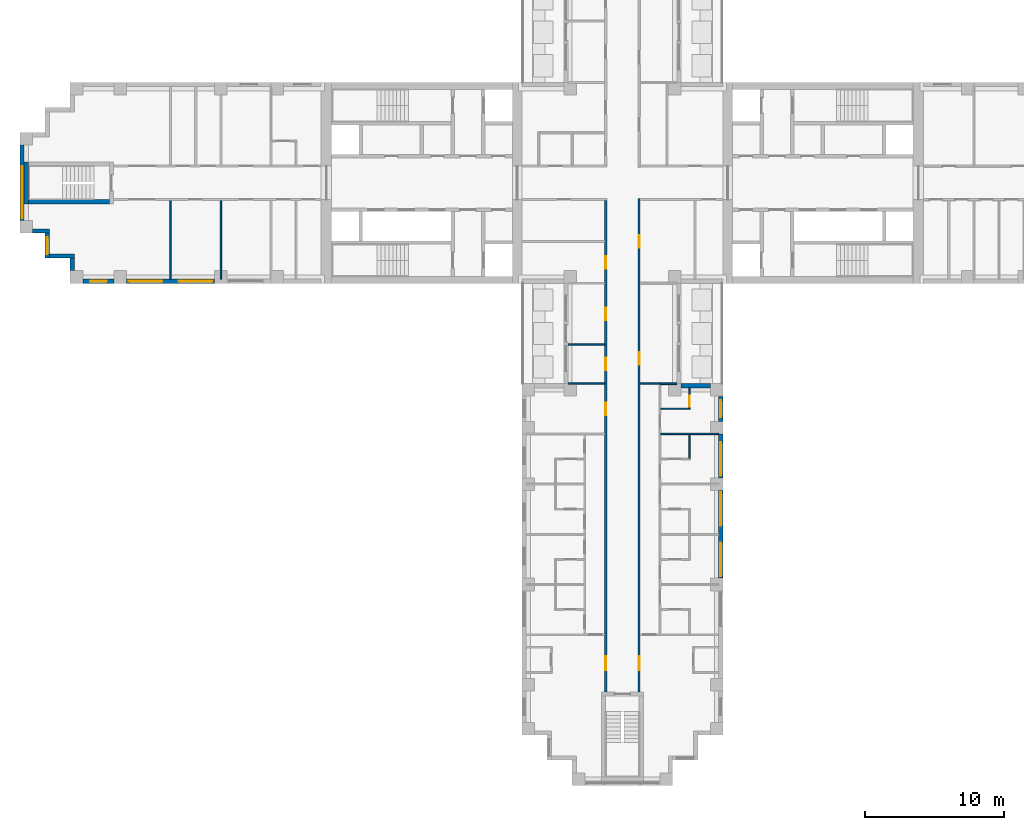
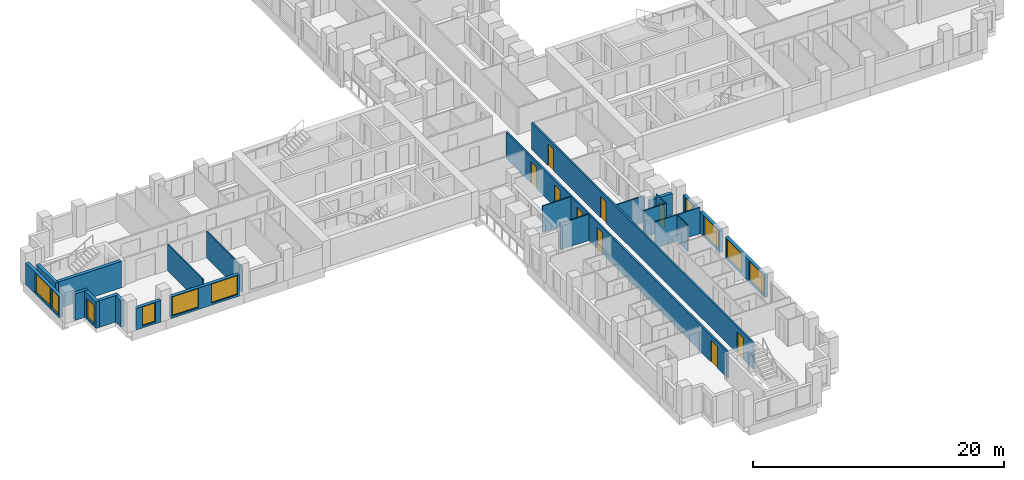
# One storey, part 5 of 16: 25 walls, 10 windows, 9 doors, 19 openings.
"""IFC4 building model written with IfcOpenShell, lengths in metres."""

import ifcopenshell
import ifcopenshell.guid

model = None  # the IFC model being written
_history = None  # IfcOwnerHistory: only IFC2X3 demands one
_inside = {}  # id of a spatial element -> (the spatial element, [elements in it])
_under = {}  # id of a project, library or spatial element -> (it, [spatial elements below it])
_declared = {}  # id of a project -> (the project, [libraries it declares])
_typed = {}  # id of a type object -> (the type object, [elements of that type])
_made_of = {}  # id of a material, layer set ... -> (it, [elements and type objects made of it])


def new_model(schema):
    """Start an empty IFC model of exactly this schema.

    Asked for "IFC4X3", IfcOpenShell would pick the latest addendum, in which some entities
    have other attributes; the version numbers below select the first issue.
    IFC2X3 requires an IfcOwnerHistory on every rooted entity: one is made here for all.
    """
    global model, _history
    if schema == "IFC4X3":
        model = ifcopenshell.file(schema_version=(4, 3, 0, 0))
    else:
        model = ifcopenshell.file(schema=schema)
    _inside.clear()
    _under.clear()
    _declared.clear()
    _typed.clear()
    _made_of.clear()
    _history = None
    if model.schema == "IFC2X3":
        org = make("IfcOrganization", Name="unknown")
        user = make(
            "IfcPersonAndOrganization",
            ThePerson=make("IfcPerson", FamilyName="unknown"),
            TheOrganization=org,
        )
        app = make(
            "IfcApplication",
            ApplicationDeveloper=org,
            Version="unknown",
            ApplicationFullName="unknown",
            ApplicationIdentifier="unknown",
        )
        _history = make(
            "IfcOwnerHistory",
            OwningUser=user,
            OwningApplication=app,
            ChangeAction="ADDED",
            CreationDate=0,
        )
    return model


def make(cls, **values):
    """One entity of the class cls with the attributes given. An attribute that is None is left unset."""
    return model.create_entity(
        cls, **{name: value for name, value in values.items() if value is not None}
    )


def rooted(cls, **values):
    """An entity with a GlobalId (a new one), such as an element, a storey or a relation."""
    return make(cls, GlobalId=ifcopenshell.guid.new(), OwnerHistory=_history, **values)


def si_unit(unit_type, name, prefix=None):
    """IfcSIUnit, for example si_unit("LENGTHUNIT", "METRE", prefix="MILLI")."""
    return make("IfcSIUnit", UnitType=unit_type, Prefix=prefix, Name=name)


def assignment(units):
    """IfcUnitAssignment: the units of a project."""
    return None if units is None else make("IfcUnitAssignment", Units=units)


def point(xyz):
    """IfcCartesianPoint."""
    return None if xyz is None else make("IfcCartesianPoint", Coordinates=xyz)


def direction(xyz):
    """IfcDirection."""
    return None if xyz is None else make("IfcDirection", DirectionRatios=xyz)


def frame(location, z_axis=None, x_axis=None):
    """IfcAxis2Placement3D, a coordinate frame: its origin and axes. An axis left out is left unset."""
    return make(
        "IfcAxis2Placement3D",
        Location=point(location),
        Axis=direction(z_axis),
        RefDirection=direction(x_axis),
    )


def frame_2d(location, x_axis=None):
    """IfcAxis2Placement2D, a coordinate frame in the plane: its origin and x axis."""
    return make(
        "IfcAxis2Placement2D", Location=point(location), RefDirection=direction(x_axis)
    )


def origin():
    """The frame at (0, 0, 0) with its axes left unset."""
    return frame((0.0, 0.0, 0.0))


def place(relative_to, where):
    """IfcLocalPlacement: puts the frame where relative to a parent placement (None: the world)."""
    return make(
        "IfcLocalPlacement", PlacementRelTo=relative_to, RelativePlacement=where
    )


def context(
    kind, dimensions, precision=None, world=None, true_north=None, identifier=None
):
    """IfcGeometricRepresentationContext, for example the 3D "Model" context."""
    return make(
        "IfcGeometricRepresentationContext",
        ContextIdentifier=identifier,
        ContextType=kind,
        CoordinateSpaceDimension=dimensions,
        Precision=precision,
        WorldCoordinateSystem=world,
        TrueNorth=true_north,
    )


def subcontext(parent, identifier, kind, view, scale=None):
    """IfcGeometricRepresentationSubContext, for example "Body" below "Model"."""
    return make(
        "IfcGeometricRepresentationSubContext",
        ContextIdentifier=identifier,
        ContextType=kind,
        ParentContext=parent,
        TargetScale=scale,
        TargetView=view,
    )


def project(units=None, contexts=None):
    """IfcProject with its units and contexts."""
    return rooted(
        "IfcProject",
        Name="project",
        RepresentationContexts=contexts,
        UnitsInContext=assignment(units),
    )


def spatial(cls, under=None, at=None, **own):
    """A site, building, storey or space (cls), placed at a placement, below another one or the project."""
    s = rooted(cls, ObjectPlacement=at, **own)
    if under is not None:
        _under.setdefault(under.id(), (under, []))[1].append(s)
    return s


def profile(cls, at=None, kind="AREA", **sizes):
    """A parametric profile (cls). Its sizes go by their IFC names, for example OverallWidth=200.0."""
    return make(cls, ProfileType=kind, Position=at, **sizes)


def rectangle(**sizes):
    """IfcRectangleProfileDef."""
    return profile("IfcRectangleProfileDef", **sizes)


def extrude(swept, where, along, depth):
    """IfcExtrudedAreaSolid: the profile swept, set in the frame where, extruded along a direction by depth."""
    return make(
        "IfcExtrudedAreaSolid",
        SweptArea=swept,
        Position=where,
        ExtrudedDirection=direction(along),
        Depth=depth,
    )


def shape(context_of_items, identifier, shape_type, items):
    """IfcShapeRepresentation: the items that make up one representation, for example the "Body"."""
    return make(
        "IfcShapeRepresentation",
        ContextOfItems=context_of_items,
        RepresentationIdentifier=identifier,
        RepresentationType=shape_type,
        Items=items,
    )


def material(Name=None, Category=None):
    """IfcMaterial."""
    return make("IfcMaterial", Name=Name, Category=Category)


def layer(
    of_material, thickness, ventilated=None, Name=None, Category=None, Priority=None
):
    """IfcMaterialLayer: one layer of a wall or slab, of a material (None: an air gap)."""
    return make(
        "IfcMaterialLayer",
        Material=of_material,
        LayerThickness=thickness,
        IsVentilated=ventilated,
        Name=Name,
        Category=Category,
        Priority=Priority,
    )


def layer_set(layers, Name=None):
    """IfcMaterialLayerSet."""
    return make("IfcMaterialLayerSet", MaterialLayers=layers, LayerSetName=Name)


def made_of(thing, what):
    """Note that an element or type object is made of a material, layer set ...; save() writes the relation."""
    if what is not None:
        _made_of.setdefault(what.id(), (what, []))[1].append(thing)
    return thing


def type_object(cls, material=None, **own):
    """A type object (cls), such as IfcWallType, which elements share."""
    return made_of(rooted(cls, **own), material)


def element(
    cls,
    number,
    at=None,
    inside=None,
    cuts=None,
    type_object=None,
    material=None,
    context=None,
    identifier="Body",
    shape_type=None,
    held_by="IfcProductDefinitionShape",
    body=None,
    shapes=None,
    **own,
):
    """One element of the class cls, such as IfcWall. Its Tag is "e" and its number.

    at: its placement. inside: the storey or other place that contains it. cuts: it is an
    opening in that element (IfcRelVoidsElement). A single representation is given by context,
    identifier, shape_type and body (its items); several are given by shapes. held_by: the class
    of the entity that holds the representations. save() writes the other relations.
    """
    e = rooted(cls, Tag="e%d" % number, ObjectPlacement=at, **own)
    if body is not None:
        shapes = [shape(context, identifier, shape_type, body)]
    if shapes is not None:
        e.Representation = make(held_by, Representations=shapes)
    if inside is not None:
        _inside.setdefault(inside.id(), (inside, []))[1].append(e)
    if cuts is not None:
        rooted(
            "IfcRelVoidsElement", RelatingBuildingElement=cuts, RelatedOpeningElement=e
        )
    if type_object is not None:
        _typed.setdefault(type_object.id(), (type_object, []))[1].append(e)
    return made_of(e, material)


def fill(opening, filler):
    """IfcRelFillsElement: the door or window that sits in an opening."""
    return rooted(
        "IfcRelFillsElement",
        RelatingOpeningElement=opening,
        RelatedBuildingElement=filler,
    )


def aggregate(whole, parts):
    """IfcRelAggregates: a whole, such as a stair, and the parts it consists of."""
    return rooted("IfcRelAggregates", RelatingObject=whole, RelatedObjects=parts)


def save(model, path):
    """Write the relations noted so far, then the file.

    IfcRelAggregates (storeys below a building ...), IfcRelContainedInSpatialStructure (elements
    in a storey), IfcRelDefinesByType, IfcRelAssociatesMaterial and IfcRelDeclares: one each for
    every whole, place, type object, material and project.
    """
    for whole, parts in _under.values():
        aggregate(whole, parts)
    for where, things in _inside.values():
        rooted(
            "IfcRelContainedInSpatialStructure",
            RelatedElements=things,
            RelatingStructure=where,
        )
    for kind, things in _typed.values():
        rooted("IfcRelDefinesByType", RelatedObjects=things, RelatingType=kind)
    for what, things in _made_of.values():
        rooted("IfcRelAssociatesMaterial", RelatedObjects=things, RelatingMaterial=what)
    for by, libraries in _declared.values():
        rooted("IfcRelDeclares", RelatingContext=by, RelatedDefinitions=libraries)
    model.write(path)


model = new_model("IFC4")

# Units and contexts
model_context = context("Model", 3, precision=1e-05, world=origin(), true_north=direction((0.0, 1.0)))
body_context = subcontext(model_context, "Body", "Model", "MODEL_VIEW")
ifc_project = project(units=[si_unit("LENGTHUNIT", "METRE"), si_unit("AREAUNIT", "SQUARE_METRE"), si_unit("VOLUMEUNIT", "CUBIC_METRE"), si_unit("PLANEANGLEUNIT", "RADIAN"), si_unit("MASSUNIT", "GRAM", prefix="KILO")], contexts=[model_context])

# Site, building, storey
site_placement = place(None, origin())
site = spatial("IfcSite", under=ifc_project, at=site_placement, CompositionType="ELEMENT")
building_placement = place(site_placement, origin())
building = spatial("IfcBuilding", under=site, at=building_placement, Name="Fustian Cross Tower", CompositionType="ELEMENT")
storey_placement = place(building_placement, frame((0.0, 0.0, 26.699951171875)))
storey = spatial("IfcBuildingStorey", under=building, at=storey_placement, Name="L07", CompositionType="ELEMENT", Elevation=26.699951171875)

# Wall, openings, doors
ifc_material_1 = material(Name="Plasterboard on steel stud", Category="steel")
ifc_layer_1 = layer(ifc_material_1, 0.14990234375)
ifc_layer_set_1 = layer_set([ifc_layer_1], Name="Plasterboard on steel stud")
wall_type_1 = type_object("IfcWallType", Name="COMPARTMENT WALL 150 EI 60", PredefinedType="PARTITIONING", material=ifc_layer_set_1)
wall_1_placement = place(storey_placement, frame((-1.199951171875, -36.5, 0.0), z_axis=(0.0, 0.0, 1.0), x_axis=(0.0, 1.0, 0.0)))
wall_1 = element("IfcWall", 1, at=wall_1_placement, inside=storey, type_object=wall_type_1, Name="Partition 51", PredefinedType="PARTITIONING", context=body_context, shape_type="SweptSolid", body=[
    extrude(rectangle(XDim=35.22509765625, YDim=0.14990234375, at=frame_2d((17.612548828125, 0.0))), origin(), (0.0, 0.0, 1.0), 2.574951171875),
])
opening_1_placement = place(wall_1_placement, frame((30.35009765625, 0.0, 0.0)))
opening_1 = element("IfcOpeningElement", 2, at=opening_1_placement, cuts=wall_1, Name="Opening D05009", PredefinedType="OPENING", context=body_context, shape_type="SweptSolid", body=[
    extrude(rectangle(XDim=0.89990234375, YDim=2.10009765625, at=frame_2d((0.449951171875, 1.050048828125))), frame((0.0, 0.0849609375, 0.0), z_axis=(0.0, -1.0, 0.0), x_axis=(1.0, 0.0, 0.0)), (0.0, 0.0, 1.0), 0.169921875),
])
opening_2_placement = place(wall_1_placement, frame((23.050048828125, 0.0, 0.0)))
opening_2 = element("IfcOpeningElement", 3, at=opening_2_placement, cuts=wall_1, Name="Opening D05064", PredefinedType="OPENING", context=body_context, shape_type="SweptSolid", body=[
    extrude(rectangle(XDim=0.89990234375, YDim=2.10009765625, at=frame_2d((0.449951171875, 1.050048828125))), frame((0.0, 0.0849609375, 0.0), z_axis=(0.0, -1.0, 0.0), x_axis=(1.0, 0.0, 0.0)), (0.0, 0.0, 1.0), 0.169921875),
])
opening_3_placement = place(wall_1_placement, frame((26.64990234375, 0.0, 0.0)))
opening_3 = element("IfcOpeningElement", 4, at=opening_3_placement, cuts=wall_1, Name="Opening D05065", PredefinedType="OPENING", context=body_context, shape_type="SweptSolid", body=[
    extrude(rectangle(XDim=0.89990234375, YDim=2.10009765625, at=frame_2d((0.449951171875, 1.050048828125))), frame((0.0, 0.0849609375, 0.0), z_axis=(0.0, -1.0, 0.0), x_axis=(1.0, 0.0, 0.0)), (0.0, 0.0, 1.0), 0.169921875),
])
opening_4_placement = place(wall_1_placement, frame((19.85009765625, 0.0, 0.0)))
opening_4 = element("IfcOpeningElement", 5, at=opening_4_placement, cuts=wall_1, Name="Opening D05066", PredefinedType="OPENING", context=body_context, shape_type="SweptSolid", body=[
    extrude(rectangle(XDim=0.89990234375, YDim=2.10009765625, at=frame_2d((0.449951171875, 1.050048828125))), frame((0.0, 0.0849609375, 0.0), z_axis=(0.0, -1.0, 0.0), x_axis=(1.0, 0.0, 0.0)), (0.0, 0.0, 1.0), 0.169921875),
])
opening_5_placement = place(wall_1_placement, frame((1.550048828125, 0.0, 0.0)))
opening_5 = element("IfcOpeningElement", 6, at=opening_5_placement, cuts=wall_1, Name="Opening D05068", PredefinedType="OPENING", context=body_context, shape_type="SweptSolid", body=[
    extrude(rectangle(XDim=1.0, YDim=2.10009765625, at=frame_2d((0.5, 1.050048828125))), frame((0.0, 0.0849609375, 0.0), z_axis=(0.0, -1.0, 0.0), x_axis=(1.0, 0.0, 0.0)), (0.0, 0.0, 1.0), 0.169921875),
])
ifc_material_2 = material(Name="Timber fire door set", Category="wood")
door_type_1 = type_object("IfcDoorType", Name="FIRE SWING DOOR 1000 FD30S", OperationType="SINGLE_SWING_LEFT", PredefinedType="DOOR", material=ifc_material_2)
door_1_placement = place(opening_5_placement, origin())
door_1 = element("IfcDoor", 7, at=door_1_placement, inside=storey, type_object=door_type_1, Name="Door D05068", OperationType="SINGLE_SWING_RIGHT", OverallHeight=2.10009765625, OverallWidth=1.0, PredefinedType="DOOR", context=body_context, shape_type="SweptSolid", body=[
    extrude(rectangle(XDim=1.0, YDim=2.10009765625, at=frame_2d((0.5, 1.050048828125))), frame((0.0, 0.02490234375, 0.0), z_axis=(0.0, -1.0, 0.0), x_axis=(1.0, 0.0, 0.0)), (0.0, 0.0, 1.0), 0.050048828125),
])
fill(opening_5, door_1)
ifc_material_3 = material(Name="Timber fire door set", Category="wood")
door_type_2 = type_object("IfcDoorType", Name="FIRE SWING DOOR 900 FD30S", OperationType="SINGLE_SWING_LEFT", PredefinedType="DOOR", material=ifc_material_3)
door_2_placement = place(opening_1_placement, origin())
door_2 = element("IfcDoor", 8, at=door_2_placement, inside=storey, type_object=door_type_2, Name="Door D05009", OperationType="SINGLE_SWING_RIGHT", OverallHeight=2.10009765625, OverallWidth=0.89990234375, PredefinedType="DOOR", context=body_context, shape_type="SweptSolid", body=[
    extrude(rectangle(XDim=0.89990234375, YDim=2.10009765625, at=frame_2d((0.449951171875, 1.050048828125))), frame((0.0, 0.02490234375, 0.0), z_axis=(0.0, -1.0, 0.0), x_axis=(1.0, 0.0, 0.0)), (0.0, 0.0, 1.0), 0.050048828125),
])
fill(opening_1, door_2)
door_3_placement = place(opening_2_placement, origin())
door_3 = element("IfcDoor", 9, at=door_3_placement, inside=storey, type_object=door_type_2, Name="Door D05064", OperationType="SINGLE_SWING_LEFT", OverallHeight=2.10009765625, OverallWidth=0.89990234375, PredefinedType="DOOR", context=body_context, shape_type="SweptSolid", body=[
    extrude(rectangle(XDim=0.89990234375, YDim=2.10009765625, at=frame_2d((0.449951171875, 1.050048828125))), frame((0.0, 0.02490234375, 0.0), z_axis=(0.0, -1.0, 0.0), x_axis=(1.0, 0.0, 0.0)), (0.0, 0.0, 1.0), 0.050048828125),
])
fill(opening_2, door_3)
door_4_placement = place(opening_3_placement, origin())
door_4 = element("IfcDoor", 10, at=door_4_placement, inside=storey, type_object=door_type_2, Name="Door D05065", OperationType="SINGLE_SWING_LEFT", OverallHeight=2.10009765625, OverallWidth=0.89990234375, PredefinedType="DOOR", context=body_context, shape_type="SweptSolid", body=[
    extrude(rectangle(XDim=0.89990234375, YDim=2.10009765625, at=frame_2d((0.449951171875, 1.050048828125))), frame((0.0, 0.02490234375, 0.0), z_axis=(0.0, -1.0, 0.0), x_axis=(1.0, 0.0, 0.0)), (0.0, 0.0, 1.0), 0.050048828125),
])
fill(opening_3, door_4)
door_5_placement = place(opening_4_placement, origin())
door_5 = element("IfcDoor", 11, at=door_5_placement, inside=storey, type_object=door_type_2, Name="Door D05066", OperationType="SINGLE_SWING_LEFT", OverallHeight=2.10009765625, OverallWidth=0.89990234375, PredefinedType="DOOR", context=body_context, shape_type="SweptSolid", body=[
    extrude(rectangle(XDim=0.89990234375, YDim=2.10009765625, at=frame_2d((0.449951171875, 1.050048828125))), frame((0.0, 0.02490234375, 0.0), z_axis=(0.0, -1.0, 0.0), x_axis=(1.0, 0.0, 0.0)), (0.0, 0.0, 1.0), 0.050048828125),
])
fill(opening_4, door_5)

wall_2_placement = place(storey_placement, frame((1.199951171875, -36.5, 0.0), z_axis=(0.0, 0.0, 1.0), x_axis=(0.0, 1.0, 0.0)))
wall_2 = element("IfcWall", 12, at=wall_2_placement, inside=storey, type_object=wall_type_1, Name="Partition 53", PredefinedType="PARTITIONING", context=body_context, shape_type="SweptSolid", body=[
    extrude(rectangle(XDim=35.375, YDim=0.14990234375, at=frame_2d((17.6875, 0.0))), origin(), (0.0, 0.0, 1.0), 2.574951171875),
])
opening_6_placement = place(wall_2_placement, frame((31.85009765625, 0.0, 0.0)))
opening_6 = element("IfcOpeningElement", 13, at=opening_6_placement, cuts=wall_2, Name="Opening D05006", PredefinedType="OPENING", context=body_context, shape_type="SweptSolid", body=[
    extrude(rectangle(XDim=0.89990234375, YDim=2.10009765625, at=frame_2d((0.449951171875, 1.050048828125))), frame((0.0, 0.0849609375, 0.0), z_axis=(0.0, -1.0, 0.0), x_axis=(1.0, 0.0, 0.0)), (0.0, 0.0, 1.0), 0.169921875),
])
opening_7_placement = place(wall_2_placement, frame((23.449951171875, 0.0, 0.0)))
opening_7 = element("IfcOpeningElement", 14, at=opening_7_placement, cuts=wall_2, Name="Opening D05050", PredefinedType="OPENING", context=body_context, shape_type="SweptSolid", body=[
    extrude(rectangle(XDim=0.89990234375, YDim=2.10009765625, at=frame_2d((0.449951171875, 1.050048828125))), frame((0.0, 0.0849609375, 0.0), z_axis=(0.0, -1.0, 0.0), x_axis=(1.0, 0.0, 0.0)), (0.0, 0.0, 1.0), 0.169921875),
])
opening_8_placement = place(wall_2_placement, frame((1.550048828125, 0.0, 0.0)))
opening_8 = element("IfcOpeningElement", 15, at=opening_8_placement, cuts=wall_2, Name="Opening D05052", PredefinedType="OPENING", context=body_context, shape_type="SweptSolid", body=[
    extrude(rectangle(XDim=1.0, YDim=2.10009765625, at=frame_2d((0.5, 1.050048828125))), frame((0.0, 0.0849609375, 0.0), z_axis=(0.0, -1.0, 0.0), x_axis=(1.0, 0.0, 0.0)), (0.0, 0.0, 1.0), 0.169921875),
])
door_6_placement = place(opening_8_placement, frame((1.0, 0.0, 0.0), z_axis=(0.0, 0.0, 1.0), x_axis=(-1.0, 0.0, 0.0)))
door_6 = element("IfcDoor", 16, at=door_6_placement, inside=storey, type_object=door_type_1, Name="Door D05052", OperationType="SINGLE_SWING_LEFT", OverallHeight=2.10009765625, OverallWidth=1.0, PredefinedType="DOOR", context=body_context, shape_type="SweptSolid", body=[
    extrude(rectangle(XDim=1.0, YDim=2.10009765625, at=frame_2d((0.5, 1.050048828125))), frame((0.0, 0.02490234375, 0.0), z_axis=(0.0, -1.0, 0.0), x_axis=(1.0, 0.0, 0.0)), (0.0, 0.0, 1.0), 0.050048828125),
])
fill(opening_8, door_6)
door_7_placement = place(opening_6_placement, frame((0.89990234375, 0.0, 0.0), z_axis=(0.0, 0.0, 1.0), x_axis=(-1.0, 0.0, 0.0)))
door_7 = element("IfcDoor", 17, at=door_7_placement, inside=storey, type_object=door_type_2, Name="Door D05006", OperationType="SINGLE_SWING_RIGHT", OverallHeight=2.10009765625, OverallWidth=0.89990234375, PredefinedType="DOOR", context=body_context, shape_type="SweptSolid", body=[
    extrude(rectangle(XDim=0.89990234375, YDim=2.10009765625, at=frame_2d((0.449951171875, 1.050048828125))), frame((0.0, 0.02490234375, 0.0), z_axis=(0.0, -1.0, 0.0), x_axis=(1.0, 0.0, 0.0)), (0.0, 0.0, 1.0), 0.050048828125),
])
fill(opening_6, door_7)
door_8_placement = place(opening_7_placement, frame((0.89990234375, 0.0, 0.0), z_axis=(0.0, 0.0, 1.0), x_axis=(-1.0, 0.0, 0.0)))
door_8 = element("IfcDoor", 18, at=door_8_placement, inside=storey, type_object=door_type_2, Name="Door D05050", OperationType="SINGLE_SWING_RIGHT", OverallHeight=2.10009765625, OverallWidth=0.89990234375, PredefinedType="DOOR", context=body_context, shape_type="SweptSolid", body=[
    extrude(rectangle(XDim=0.89990234375, YDim=2.10009765625, at=frame_2d((0.449951171875, 1.050048828125))), frame((0.0, 0.02490234375, 0.0), z_axis=(0.0, -1.0, 0.0), x_axis=(1.0, 0.0, 0.0)), (0.0, 0.0, 1.0), 0.050048828125),
])
fill(opening_7, door_8)

# Walls
ifc_material_4 = material(Name="Plasterboard on steel stud", Category="steel")
ifc_layer_2 = layer(ifc_material_4, 0.10009765625)
ifc_layer_set_2 = layer_set([ifc_layer_2], Name="Plasterboard on steel stud")
wall_type_2 = type_object("IfcWallType", Name="PARTITION 100 STUD", PredefinedType="PARTITIONING", material=ifc_layer_set_2)
for number, where, z_axis, x_axis, name in (
    (19, (-32.39990234375, -6.89990234375, 0.0), (0.0, 0.0, 1.0), (0.0, 1.0, 0.0), "Partition 3"),
    (20, (-28.800048828125, -6.89990234375, 0.0), (0.0, 0.0, 1.0), (0.0, 1.0, 0.0), "Partition 6"),
):
    element("IfcWall", number, at=place(storey_placement, frame(where, z_axis=z_axis, x_axis=x_axis)), inside=storey, type_object=wall_type_2, Name=name, PredefinedType="PARTITIONING", context=body_context, shape_type="SweptSolid", body=[
        extrude(rectangle(XDim=5.625, YDim=0.10009765625, at=frame_2d((2.8125, 0.0))), origin(), (0.0, 0.0, 1.0), 2.574951171875),
    ])
for number, where, z_axis, x_axis, name in (
    (21, (-3.89990234375, -14.39990234375, 0.0), (0.0, 0.0, 1.0), (1.0, 0.0, 0.0), "Partition 42"),
    (22, (-3.89990234375, -11.60009765625, 0.0), (0.0, 0.0, 1.0), (1.0, 0.0, 0.0), "Partition 43"),
):
    element("IfcWall", number, at=place(storey_placement, frame(where, z_axis=z_axis, x_axis=x_axis)), inside=storey, type_object=wall_type_2, Name=name, PredefinedType="PARTITIONING", context=body_context, shape_type="SweptSolid", body=[
        extrude(rectangle(XDim=2.625, YDim=0.10009765625, at=frame_2d((1.3125, 0.0))), origin(), (0.0, 0.0, 1.0), 2.574951171875),
    ])
wall_3_placement = place(storey_placement, frame((1.27490234375, -14.39990234375, 0.0), z_axis=(0.0, 0.0, 1.0), x_axis=(1.0, 0.0, 0.0)))
element("IfcWall", 23, at=wall_3_placement, inside=storey, type_object=wall_type_2, Name="Partition 55", PredefinedType="PARTITIONING", context=body_context, shape_type="SweptSolid", body=[
    extrude(rectangle(XDim=1.425048828125, YDim=0.10009765625, at=frame_2d((0.71240234375, 0.0))), origin(), (0.0, 0.0, 1.0), 2.574951171875),
])
wall_4_placement = place(storey_placement, frame((2.75, -18.0, 0.0), z_axis=(0.0, 0.0, 1.0), x_axis=(1.0, 0.0, 0.0)))
element("IfcWall", 24, at=wall_4_placement, inside=storey, type_object=wall_type_2, Name="Partition 72", PredefinedType="PARTITIONING", context=body_context, shape_type="SweptSolid", body=[
    extrude(rectangle(XDim=4.14990234375, YDim=0.10009765625, at=frame_2d((2.074951171875, 0.0))), origin(), (0.0, 0.0, 1.0), 2.574951171875),
])
wall_5_placement = place(storey_placement, frame((2.75, -16.199951171875, 0.0), z_axis=(0.0, 0.0, 1.0), x_axis=(1.0, 0.0, 0.0)))
element("IfcWall", 25, at=wall_5_placement, inside=storey, type_object=wall_type_2, Name="Partition 73", PredefinedType="PARTITIONING", context=body_context, shape_type="SweptSolid", body=[
    extrude(rectangle(XDim=2.10009765625, YDim=0.10009765625, at=frame_2d((1.050048828125, 0.0))), origin(), (0.0, 0.0, 1.0), 2.574951171875),
])
wall_6_placement = place(storey_placement, frame((4.800048828125, -19.75, 0.0), z_axis=(0.0, 0.0, 1.0), x_axis=(0.0, 1.0, 0.0)))
element("IfcWall", 26, at=wall_6_placement, inside=storey, type_object=wall_type_2, Name="Partition 82", PredefinedType="PARTITIONING", context=body_context, shape_type="SweptSolid", body=[
    extrude(rectangle(XDim=1.699951171875, YDim=0.10009765625, at=frame_2d((0.85009765625, 0.0))), origin(), (0.0, 0.0, 1.0), 2.574951171875),
])

# Wall, opening, door
wall_7_placement = place(storey_placement, frame((4.800048828125, -16.14990234375, 0.0), z_axis=(0.0, 0.0, 1.0), x_axis=(0.0, 1.0, 0.0)))
wall_7 = element("IfcWall", 27, at=wall_7_placement, inside=storey, type_object=wall_type_2, Name="Partition 83", PredefinedType="PARTITIONING", context=body_context, shape_type="SweptSolid", body=[
    extrude(rectangle(XDim=1.449951171875, YDim=0.10009765625, at=frame_2d((0.72509765625, 0.0))), origin(), (0.0, 0.0, 1.0), 2.574951171875),
])
opening_9_placement = place(wall_7_placement, frame((0.10009765625, 0.0, 0.0)))
opening_9 = element("IfcOpeningElement", 28, at=opening_9_placement, cuts=wall_7, Name="Opening D05059", PredefinedType="OPENING", context=body_context, shape_type="SweptSolid", body=[
    extrude(rectangle(XDim=0.800048828125, YDim=2.10009765625, at=frame_2d((0.39990234375, 1.050048828125))), frame((0.0, 0.06005859375, 0.0), z_axis=(0.0, -1.0, 0.0), x_axis=(1.0, 0.0, 0.0)), (0.0, 0.0, 1.0), 0.1201171875),
])
ifc_material_5 = material(Name="Painted timber", Category="wood")
door_type_3 = type_object("IfcDoorType", Name="SWING DOOR 800", OperationType="SINGLE_SWING_LEFT", PredefinedType="DOOR", material=ifc_material_5)
door_9_placement = place(opening_9_placement, frame((0.800048828125, 0.0, 0.0), z_axis=(0.0, 0.0, 1.0), x_axis=(-1.0, 0.0, 0.0)))
door_9 = element("IfcDoor", 29, at=door_9_placement, inside=storey, type_object=door_type_3, Name="Door D05059", OperationType="SINGLE_SWING_LEFT", OverallHeight=2.10009765625, OverallWidth=0.800048828125, PredefinedType="DOOR", context=body_context, shape_type="SweptSolid", body=[
    extrude(rectangle(XDim=0.800048828125, YDim=2.10009765625, at=frame_2d((0.39990234375, 1.050048828125))), frame((0.0, 0.02490234375, 0.0), z_axis=(0.0, -1.0, 0.0), x_axis=(1.0, 0.0, 0.0)), (0.0, 0.0, 1.0), 0.050048828125),
])
fill(opening_9, door_9)

# Walls
ifc_material_6 = material(Name="Concrete C50/60", Category="concrete")
ifc_layer_3 = layer(ifc_material_6, 0.300048828125)
ifc_layer_set_3 = layer_set([ifc_layer_3], Name="Concrete C50/60")
wall_type_3 = type_object("IfcWallType", Name="STAIR ENCLOSURE WALL 300 C50/60", PredefinedType="SHEAR", material=ifc_layer_set_3)
wall_8_placement = place(storey_placement, frame((-42.75, -1.5, 0.0), z_axis=(0.0, 0.0, 1.0), x_axis=(0.0, 1.0, 0.0)))
element("IfcWall", 30, at=wall_8_placement, inside=storey, type_object=wall_type_3, Name="Stair enclosure wall", PredefinedType="SHEAR", context=body_context, shape_type="SweptSolid", body=[
    extrude(rectangle(XDim=3.0, YDim=0.300048828125, at=frame_2d((1.5, 0.0))), origin(), (0.0, 0.0, 1.0), 2.574951171875),
])
wall_9_placement = place(storey_placement, frame((-36.800048828125, -1.35009765625, 0.0), z_axis=(0.0, 0.0, 1.0), x_axis=(-1.0, 0.0, 0.0)))
element("IfcWall", 31, at=wall_9_placement, inside=storey, type_object=wall_type_3, Name="Stair enclosure wall", PredefinedType="SHEAR", context=body_context, shape_type="SweptSolid", body=[
    extrude(rectangle(XDim=5.800048828125, YDim=0.300048828125, at=frame_2d((2.89990234375, 0.0))), origin(), (0.0, 0.0, 1.0), 2.574951171875),
])
ifc_material_7 = material(Name="Plasterboard on steel stud", Category="steel")
ifc_layer_4 = layer(ifc_material_7, 0.125)
ifc_layer_set_4 = layer_set([ifc_layer_4], Name="Plasterboard on steel stud")
wall_type_4 = type_object("IfcWallType", Name="WET WALL 125 STUD", PredefinedType="PARTITIONING", material=ifc_layer_set_4)
wall_10_placement = place(storey_placement, frame((2.699951171875, -14.39990234375, 0.0), z_axis=(0.0, 0.0, 1.0), x_axis=(1.0, 0.0, 0.0)))
element("IfcWall", 32, at=wall_10_placement, inside=storey, type_object=wall_type_4, Name="Partition 74", PredefinedType="PARTITIONING", context=body_context, shape_type="SweptSolid", body=[
    extrude(rectangle(XDim=1.199951171875, YDim=0.125, at=frame_2d((0.60009765625, 0.0))), origin(), (0.0, 0.0, 1.0), 2.574951171875),
])

# Wall, openings, windows
ifc_material_8 = material(Name="Dark aluminium cladding on insulated backing wall", Category="aluminium")
ifc_layer_5 = layer(ifc_material_8, 0.300048828125)
ifc_layer_set_5 = layer_set([ifc_layer_5], Name="Dark aluminium cladding on insulated backing wall")
wall_type_5 = type_object("IfcWallType", Name="XW1 EXTERNAL WALL 300", PredefinedType="SOLIDWALL", material=ifc_layer_set_5)
wall_11_placement = place(storey_placement, frame((-43.050048828125, 2.699951171875, 0.0), z_axis=(0.0, 0.0, 1.0), x_axis=(0.0, -1.0, 0.0)))
wall_11 = element("IfcWall", 33, at=wall_11_placement, inside=storey, type_object=wall_type_5, Name="External wall", PredefinedType="SOLIDWALL", context=body_context, shape_type="SweptSolid", body=[
    extrude(rectangle(XDim=5.39990234375, YDim=0.300048828125, at=frame_2d((2.699951171875, 0.0))), origin(), (0.0, 0.0, 1.0), 2.10009765625),
])
opening_10_placement = place(wall_11_placement, frame((1.5, 0.0, 0.199951171875)))
opening_10 = element("IfcOpeningElement", 34, at=opening_10_placement, cuts=wall_11, Name="Opening WN1", PredefinedType="OPENING", context=body_context, shape_type="SweptSolid", body=[
    extrude(rectangle(XDim=2.39990234375, YDim=1.85009765625, at=frame_2d((1.199951171875, 0.925048828125))), frame((0.0, 0.159912109375, 0.0), z_axis=(0.0, -1.0, 0.0), x_axis=(1.0, 0.0, 0.0)), (0.0, 0.0, 1.0), 0.320068359375),
])
opening_11_placement = place(wall_11_placement, frame((4.050048828125, 0.0, 0.199951171875)))
opening_11 = element("IfcOpeningElement", 35, at=opening_11_placement, cuts=wall_11, Name="Opening WN3", PredefinedType="OPENING", context=body_context, shape_type="SweptSolid", body=[
    extrude(rectangle(XDim=1.199951171875, YDim=1.85009765625, at=frame_2d((0.60009765625, 0.925048828125))), frame((0.0, 0.159912109375, 0.0), z_axis=(0.0, -1.0, 0.0), x_axis=(1.0, 0.0, 0.0)), (0.0, 0.0, 1.0), 0.320068359375),
])
ifc_material_9 = material(Name="Dark anodised aluminium and double glazing", Category="aluminium")
window_type_1 = type_object("IfcWindowType", Name="WN1 WINDOW 2400X1850", PartitioningType="SINGLE_PANEL", PredefinedType="WINDOW", material=ifc_material_9)
window_1_placement = place(opening_10_placement, origin())
window_1 = element("IfcWindow", 36, at=window_1_placement, inside=storey, type_object=window_type_1, Name="Window", OverallHeight=1.85009765625, OverallWidth=2.39990234375, PartitioningType="SINGLE_PANEL", PredefinedType="WINDOW", context=body_context, shape_type="SweptSolid", body=[
    extrude(rectangle(XDim=2.39990234375, YDim=1.85009765625, at=frame_2d((1.199951171875, 0.925048828125))), frame((0.0, 0.030029296875, 0.0), z_axis=(0.0, -1.0, 0.0), x_axis=(1.0, 0.0, 0.0)), (0.0, 0.0, 1.0), 0.06005859375),
])
fill(opening_10, window_1)
ifc_material_10 = material(Name="Dark anodised aluminium and double glazing", Category="aluminium")
window_type_2 = type_object("IfcWindowType", Name="WN3 WINDOW 1200X1850", PartitioningType="SINGLE_PANEL", PredefinedType="WINDOW", material=ifc_material_10)
window_2_placement = place(opening_11_placement, origin())
window_2 = element("IfcWindow", 37, at=window_2_placement, inside=storey, type_object=window_type_2, Name="Window", OverallHeight=1.85009765625, OverallWidth=1.199951171875, PartitioningType="SINGLE_PANEL", PredefinedType="WINDOW", context=body_context, shape_type="SweptSolid", body=[
    extrude(rectangle(XDim=1.199951171875, YDim=1.85009765625, at=frame_2d((0.60009765625, 0.925048828125))), frame((0.0, 0.030029296875, 0.0), z_axis=(0.0, -1.0, 0.0), x_axis=(1.0, 0.0, 0.0)), (0.0, 0.0, 1.0), 0.06005859375),
])
fill(opening_11, window_2)

# Wall
wall_12_placement = place(storey_placement, frame((-42.300048828125, -3.449951171875, 0.0), z_axis=(0.0, 0.0, 1.0), x_axis=(1.0, 0.0, 0.0)))
element("IfcWall", 38, at=wall_12_placement, inside=storey, type_object=wall_type_5, Name="External wall", PredefinedType="SOLIDWALL", context=body_context, shape_type="SweptSolid", body=[
    extrude(rectangle(XDim=1.199951171875, YDim=0.300048828125, at=frame_2d((0.60009765625, 0.0))), origin(), (0.0, 0.0, 1.0), 2.574951171875),
])

# Wall, opening, window
wall_13_placement = place(storey_placement, frame((-41.25, -3.60009765625, 0.0), z_axis=(0.0, 0.0, 1.0), x_axis=(0.0, -1.0, 0.0)))
wall_13 = element("IfcWall", 39, at=wall_13_placement, inside=storey, type_object=wall_type_5, Name="External wall", PredefinedType="SOLIDWALL", context=body_context, shape_type="SweptSolid", body=[
    extrude(rectangle(XDim=1.7998046875, YDim=0.300048828125, at=frame_2d((0.89990234375, 0.0))), origin(), (0.0, 0.0, 1.0), 2.574951171875),
])
opening_12_placement = place(wall_13_placement, frame((0.300048828125, 0.0, 0.199951171875)))
opening_12 = element("IfcOpeningElement", 40, at=opening_12_placement, cuts=wall_13, Name="Opening WN3", PredefinedType="OPENING", context=body_context, shape_type="SweptSolid", body=[
    extrude(rectangle(XDim=1.199951171875, YDim=1.85009765625, at=frame_2d((0.60009765625, 0.925048828125))), frame((0.0, 0.159912109375, 0.0), z_axis=(0.0, -1.0, 0.0), x_axis=(1.0, 0.0, 0.0)), (0.0, 0.0, 1.0), 0.320068359375),
])
window_3_placement = place(opening_12_placement, origin())
window_3 = element("IfcWindow", 41, at=window_3_placement, inside=storey, type_object=window_type_2, Name="Window", OverallHeight=1.85009765625, OverallWidth=1.199951171875, PartitioningType="SINGLE_PANEL", PredefinedType="WINDOW", context=body_context, shape_type="SweptSolid", body=[
    extrude(rectangle(XDim=1.199951171875, YDim=1.85009765625, at=frame_2d((0.60009765625, 0.925048828125))), frame((0.0, 0.030029296875, 0.0), z_axis=(0.0, -1.0, 0.0), x_axis=(1.0, 0.0, 0.0)), (0.0, 0.0, 1.0), 0.06005859375),
])
fill(opening_12, window_3)

# Walls
wall_14_placement = place(storey_placement, frame((-41.10009765625, -5.25, 0.0), z_axis=(0.0, 0.0, 1.0), x_axis=(1.0, 0.0, 0.0)))
element("IfcWall", 42, at=wall_14_placement, inside=storey, type_object=wall_type_5, Name="External wall", PredefinedType="SOLIDWALL", context=body_context, shape_type="SweptSolid", body=[
    extrude(rectangle(XDim=1.800048828125, YDim=0.300048828125, at=frame_2d((0.89990234375, 0.0))), origin(), (0.0, 0.0, 1.0), 2.574951171875),
])
wall_15_placement = place(storey_placement, frame((-39.449951171875, -5.39990234375, 0.0), z_axis=(0.0, 0.0, 1.0), x_axis=(0.0, -1.0, 0.0)))
element("IfcWall", 43, at=wall_15_placement, inside=storey, type_object=wall_type_5, Name="External wall", PredefinedType="SOLIDWALL", context=body_context, shape_type="SweptSolid", body=[
    extrude(rectangle(XDim=0.900146484375, YDim=0.300048828125, at=frame_2d((0.4501953125, 0.0))), origin(), (0.0, 0.0, 1.0), 2.574951171875),
])

# Wall, opening, window
wall_16_placement = place(storey_placement, frame((-38.699951171875, -7.050048828125, 0.0), z_axis=(0.0, 0.0, 1.0), x_axis=(1.0, 0.0, 0.0)))
wall_16 = element("IfcWall", 44, at=wall_16_placement, inside=storey, type_object=wall_type_5, Name="External wall", PredefinedType="SOLIDWALL", context=body_context, shape_type="SweptSolid", body=[
    extrude(rectangle(XDim=2.25, YDim=0.300048828125, at=frame_2d((1.125, 0.0))), origin(), (0.0, 0.0, 1.0), 2.10009765625),
])
opening_13_placement = place(wall_16_placement, frame((0.52490234375, 0.0, 0.199951171875)))
opening_13 = element("IfcOpeningElement", 45, at=opening_13_placement, cuts=wall_16, Name="Opening WN3", PredefinedType="OPENING", context=body_context, shape_type="SweptSolid", body=[
    extrude(rectangle(XDim=1.199951171875, YDim=1.85009765625, at=frame_2d((0.60009765625, 0.925048828125))), frame((0.0, 0.159912109375, 0.0), z_axis=(0.0, -1.0, 0.0), x_axis=(1.0, 0.0, 0.0)), (0.0, 0.0, 1.0), 0.320068359375),
])
window_4_placement = place(opening_13_placement, origin())
window_4 = element("IfcWindow", 46, at=window_4_placement, inside=storey, type_object=window_type_2, Name="Window", OverallHeight=1.85009765625, OverallWidth=1.199951171875, PartitioningType="SINGLE_PANEL", PredefinedType="WINDOW", context=body_context, shape_type="SweptSolid", body=[
    extrude(rectangle(XDim=1.199951171875, YDim=1.85009765625, at=frame_2d((0.60009765625, 0.925048828125))), frame((0.0, 0.030029296875, 0.0), z_axis=(0.0, -1.0, 0.0), x_axis=(1.0, 0.0, 0.0)), (0.0, 0.0, 1.0), 0.06005859375),
])
fill(opening_13, window_4)

# Wall, openings, windows
wall_17_placement = place(storey_placement, frame((-35.550048828125, -7.050048828125, 0.0), z_axis=(0.0, 0.0, 1.0), x_axis=(1.0, 0.0, 0.0)))
wall_17 = element("IfcWall", 47, at=wall_17_placement, inside=storey, type_object=wall_type_5, Name="External wall", PredefinedType="SOLIDWALL", context=body_context, shape_type="SweptSolid", body=[
    extrude(rectangle(XDim=6.300048828125, YDim=0.300048828125, at=frame_2d((3.14990234375, 0.0))), origin(), (0.0, 0.0, 1.0), 2.10009765625),
])
opening_14_placement = place(wall_17_placement, frame((0.14990234375, 0.0, 0.199951171875)))
opening_14 = element("IfcOpeningElement", 48, at=opening_14_placement, cuts=wall_17, Name="Opening WN1", PredefinedType="OPENING", context=body_context, shape_type="SweptSolid", body=[
    extrude(rectangle(XDim=2.39990234375, YDim=1.85009765625, at=frame_2d((1.199951171875, 0.925048828125))), frame((0.0, 0.159912109375, 0.0), z_axis=(0.0, -1.0, 0.0), x_axis=(1.0, 0.0, 0.0)), (0.0, 0.0, 1.0), 0.320068359375),
])
opening_15_placement = place(wall_17_placement, frame((3.75, 0.0, 0.199951171875)))
opening_15 = element("IfcOpeningElement", 49, at=opening_15_placement, cuts=wall_17, Name="Opening WN1", PredefinedType="OPENING", context=body_context, shape_type="SweptSolid", body=[
    extrude(rectangle(XDim=2.39990234375, YDim=1.85009765625, at=frame_2d((1.199951171875, 0.925048828125))), frame((0.0, 0.159912109375, 0.0), z_axis=(0.0, -1.0, 0.0), x_axis=(1.0, 0.0, 0.0)), (0.0, 0.0, 1.0), 0.320068359375),
])
window_5_placement = place(opening_14_placement, origin())
window_5 = element("IfcWindow", 50, at=window_5_placement, inside=storey, type_object=window_type_1, Name="Window", OverallHeight=1.85009765625, OverallWidth=2.39990234375, PartitioningType="SINGLE_PANEL", PredefinedType="WINDOW", context=body_context, shape_type="SweptSolid", body=[
    extrude(rectangle(XDim=2.39990234375, YDim=1.85009765625, at=frame_2d((1.199951171875, 0.925048828125))), frame((0.0, 0.030029296875, 0.0), z_axis=(0.0, -1.0, 0.0), x_axis=(1.0, 0.0, 0.0)), (0.0, 0.0, 1.0), 0.06005859375),
])
fill(opening_14, window_5)
window_6_placement = place(opening_15_placement, origin())
window_6 = element("IfcWindow", 51, at=window_6_placement, inside=storey, type_object=window_type_1, Name="Window", OverallHeight=1.85009765625, OverallWidth=2.39990234375, PartitioningType="SINGLE_PANEL", PredefinedType="WINDOW", context=body_context, shape_type="SweptSolid", body=[
    extrude(rectangle(XDim=2.39990234375, YDim=1.85009765625, at=frame_2d((1.199951171875, 0.925048828125))), frame((0.0, 0.030029296875, 0.0), z_axis=(0.0, -1.0, 0.0), x_axis=(1.0, 0.0, 0.0)), (0.0, 0.0, 1.0), 0.06005859375),
])
fill(opening_15, window_6)

wall_18_placement = place(storey_placement, frame((7.050048828125, -28.35009765625, 0.0), z_axis=(0.0, 0.0, 1.0), x_axis=(0.0, 1.0, 0.0)))
wall_18 = element("IfcWall", 52, at=wall_18_placement, inside=storey, type_object=wall_type_5, Name="External wall", PredefinedType="SOLIDWALL", context=body_context, shape_type="SweptSolid", body=[
    extrude(rectangle(XDim=6.300048828125, YDim=0.300048828125, at=frame_2d((3.14990234375, 0.0))), origin(), (0.0, 0.0, 1.0), 2.10009765625),
])
opening_16_placement = place(wall_18_placement, frame((0.14990234375, 0.0, 0.199951171875)))
opening_16 = element("IfcOpeningElement", 53, at=opening_16_placement, cuts=wall_18, Name="Opening WN1", PredefinedType="OPENING", context=body_context, shape_type="SweptSolid", body=[
    extrude(rectangle(XDim=2.39990234375, YDim=1.85009765625, at=frame_2d((1.199951171875, 0.925048828125))), frame((0.0, 0.159912109375, 0.0), z_axis=(0.0, -1.0, 0.0), x_axis=(1.0, 0.0, 0.0)), (0.0, 0.0, 1.0), 0.320068359375),
])
opening_17_placement = place(wall_18_placement, frame((3.75, 0.0, 0.199951171875)))
opening_17 = element("IfcOpeningElement", 54, at=opening_17_placement, cuts=wall_18, Name="Opening WN1", PredefinedType="OPENING", context=body_context, shape_type="SweptSolid", body=[
    extrude(rectangle(XDim=2.39990234375, YDim=1.85009765625, at=frame_2d((1.199951171875, 0.925048828125))), frame((0.0, 0.159912109375, 0.0), z_axis=(0.0, -1.0, 0.0), x_axis=(1.0, 0.0, 0.0)), (0.0, 0.0, 1.0), 0.320068359375),
])
window_7_placement = place(opening_16_placement, origin())
window_7 = element("IfcWindow", 55, at=window_7_placement, inside=storey, type_object=window_type_1, Name="Window", OverallHeight=1.85009765625, OverallWidth=2.39990234375, PartitioningType="SINGLE_PANEL", PredefinedType="WINDOW", context=body_context, shape_type="SweptSolid", body=[
    extrude(rectangle(XDim=2.39990234375, YDim=1.85009765625, at=frame_2d((1.199951171875, 0.925048828125))), frame((0.0, 0.030029296875, 0.0), z_axis=(0.0, -1.0, 0.0), x_axis=(1.0, 0.0, 0.0)), (0.0, 0.0, 1.0), 0.06005859375),
])
fill(opening_16, window_7)
window_8_placement = place(opening_17_placement, origin())
window_8 = element("IfcWindow", 56, at=window_8_placement, inside=storey, type_object=window_type_1, Name="Window", OverallHeight=1.85009765625, OverallWidth=2.39990234375, PartitioningType="SINGLE_PANEL", PredefinedType="WINDOW", context=body_context, shape_type="SweptSolid", body=[
    extrude(rectangle(XDim=2.39990234375, YDim=1.85009765625, at=frame_2d((1.199951171875, 0.925048828125))), frame((0.0, 0.030029296875, 0.0), z_axis=(0.0, -1.0, 0.0), x_axis=(1.0, 0.0, 0.0)), (0.0, 0.0, 1.0), 0.06005859375),
])
fill(opening_17, window_8)

# Wall, opening, window
wall_19_placement = place(storey_placement, frame((7.050048828125, -21.14990234375, 0.0), z_axis=(0.0, 0.0, 1.0), x_axis=(0.0, 1.0, 0.0)))
wall_19 = element("IfcWall", 57, at=wall_19_placement, inside=storey, type_object=wall_type_5, Name="External wall", PredefinedType="SOLIDWALL", context=body_context, shape_type="SweptSolid", body=[
    extrude(rectangle(XDim=3.14990234375, YDim=0.300048828125, at=frame_2d((1.574951171875, 0.0))), origin(), (0.0, 0.0, 1.0), 2.10009765625),
])
opening_18_placement = place(wall_19_placement, frame((0.14990234375, 0.0, 0.199951171875)))
opening_18 = element("IfcOpeningElement", 58, at=opening_18_placement, cuts=wall_19, Name="Opening WN1", PredefinedType="OPENING", context=body_context, shape_type="SweptSolid", body=[
    extrude(rectangle(XDim=2.39990234375, YDim=1.85009765625, at=frame_2d((1.199951171875, 0.925048828125))), frame((0.0, 0.159912109375, 0.0), z_axis=(0.0, -1.0, 0.0), x_axis=(1.0, 0.0, 0.0)), (0.0, 0.0, 1.0), 0.320068359375),
])
window_9_placement = place(opening_18_placement, origin())
window_9 = element("IfcWindow", 59, at=window_9_placement, inside=storey, type_object=window_type_1, Name="Window", OverallHeight=1.85009765625, OverallWidth=2.39990234375, PartitioningType="SINGLE_PANEL", PredefinedType="WINDOW", context=body_context, shape_type="SweptSolid", body=[
    extrude(rectangle(XDim=2.39990234375, YDim=1.85009765625, at=frame_2d((1.199951171875, 0.925048828125))), frame((0.0, 0.030029296875, 0.0), z_axis=(0.0, -1.0, 0.0), x_axis=(1.0, 0.0, 0.0)), (0.0, 0.0, 1.0), 0.06005859375),
])
fill(opening_18, window_9)

wall_20_placement = place(storey_placement, frame((7.050048828125, -17.10009765625, 0.0), z_axis=(0.0, 0.0, 1.0), x_axis=(0.0, 1.0, 0.0)))
wall_20 = element("IfcWall", 60, at=wall_20_placement, inside=storey, type_object=wall_type_5, Name="External wall", PredefinedType="SOLIDWALL", context=body_context, shape_type="SweptSolid", body=[
    extrude(rectangle(XDim=1.800048828125, YDim=0.300048828125, at=frame_2d((0.89990234375, 0.0))), origin(), (0.0, 0.0, 1.0), 2.10009765625),
])
opening_19_placement = place(wall_20_placement, frame((0.300048828125, 0.0, 0.199951171875)))
opening_19 = element("IfcOpeningElement", 61, at=opening_19_placement, cuts=wall_20, Name="Opening WN3", PredefinedType="OPENING", context=body_context, shape_type="SweptSolid", body=[
    extrude(rectangle(XDim=1.199951171875, YDim=1.85009765625, at=frame_2d((0.60009765625, 0.925048828125))), frame((0.0, 0.159912109375, 0.0), z_axis=(0.0, -1.0, 0.0), x_axis=(1.0, 0.0, 0.0)), (0.0, 0.0, 1.0), 0.320068359375),
])
window_10_placement = place(opening_19_placement, origin())
window_10 = element("IfcWindow", 62, at=window_10_placement, inside=storey, type_object=window_type_2, Name="Window", OverallHeight=1.85009765625, OverallWidth=1.199951171875, PartitioningType="SINGLE_PANEL", PredefinedType="WINDOW", context=body_context, shape_type="SweptSolid", body=[
    extrude(rectangle(XDim=1.199951171875, YDim=1.85009765625, at=frame_2d((0.60009765625, 0.925048828125))), frame((0.0, 0.030029296875, 0.0), z_axis=(0.0, -1.0, 0.0), x_axis=(1.0, 0.0, 0.0)), (0.0, 0.0, 1.0), 0.06005859375),
])
fill(opening_19, window_10)

# Wall
wall_21_placement = place(storey_placement, frame((6.300048828125, -14.550048828125, 0.0), z_axis=(0.0, 0.0, 1.0), x_axis=(-1.0, 0.0, 0.0)))
element("IfcWall", 63, at=wall_21_placement, inside=storey, type_object=wall_type_5, Name="External wall", PredefinedType="SOLIDWALL", context=body_context, shape_type="SweptSolid", body=[
    extrude(rectangle(XDim=2.10009765625, YDim=0.300048828125, at=frame_2d((1.050048828125, 0.0))), origin(), (0.0, 0.0, 1.0), 2.10009765625),
])

save(model, "model.ifc")
